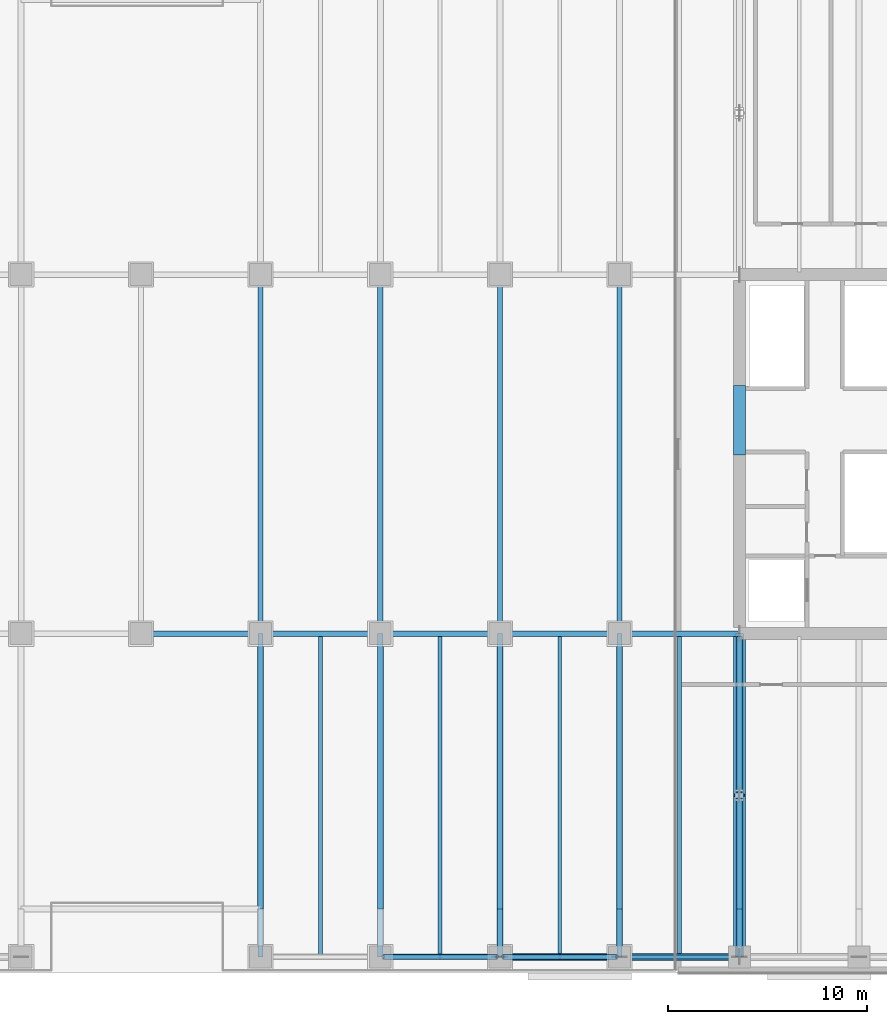
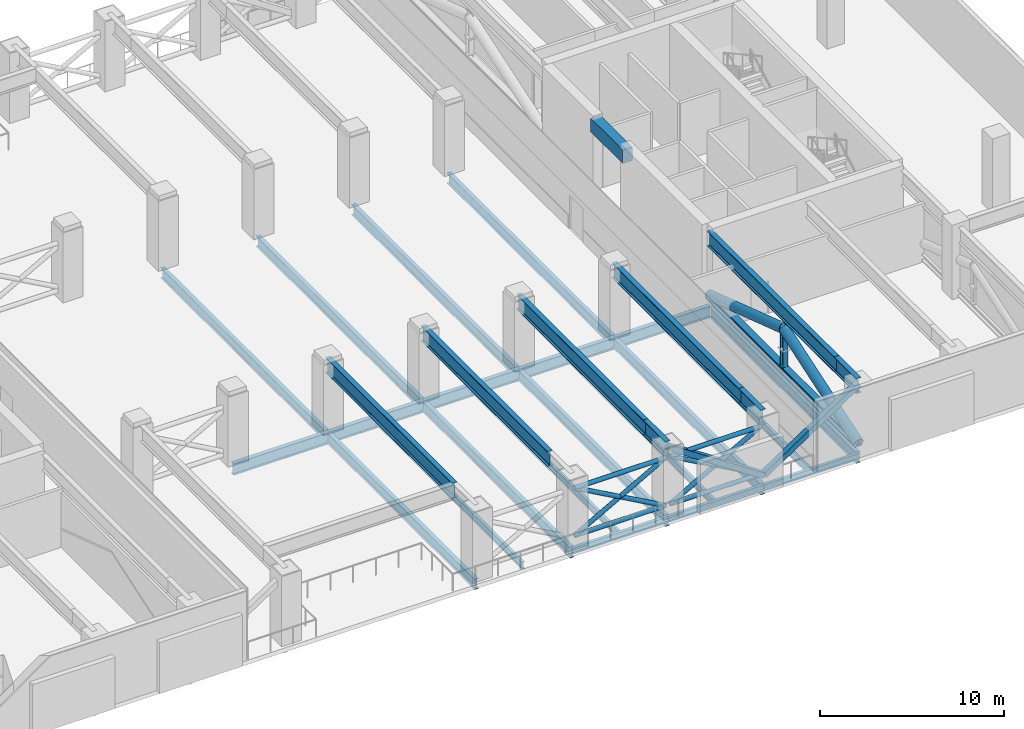
# One storey, part 3 of 22: 30 beams, 14 members.
"""IFC4 building model written with IfcOpenShell, lengths in metres."""

from ifc_helpers import new_model, si_unit, direction, frame, origin, origin_2d, place, context, subcontext, project, spatial, rectangle, hollow_rectangle, hollow_circle, i_section, extrude, material, material_profile, profile_set, type_object, element, save


model = new_model("IFC4")

# Units and contexts
model_context = context("Model", 3, precision=1e-05, world=origin(), true_north=direction((0.0, 1.0)))
body_context = subcontext(model_context, "Body", "Model", "MODEL_VIEW")
ifc_project = project(units=[si_unit("LENGTHUNIT", "METRE"), si_unit("AREAUNIT", "SQUARE_METRE"), si_unit("VOLUMEUNIT", "CUBIC_METRE"), si_unit("PLANEANGLEUNIT", "RADIAN"), si_unit("MASSUNIT", "GRAM", prefix="KILO")], contexts=[model_context])

# Site, building, storey
site_placement = place(None, origin())
site = spatial("IfcSite", under=ifc_project, at=site_placement, CompositionType="ELEMENT")
building_placement = place(site_placement, origin())
building = spatial("IfcBuilding", under=site, at=building_placement, Name="Tanjung Sevakor Pilgrim Tower", CompositionType="ELEMENT")
storey_placement = place(building_placement, frame((0.0, 0.0, 73.260009765625)))
storey = spatial("IfcBuildingStorey", under=building, at=storey_placement, Name="L20", CompositionType="ELEMENT", Elevation=73.260009765625)

# Beams
ifc_material_1 = material(Name="Steel S355J2", Category="steel")
ifc_material_profile_1 = material_profile(ifc_material_1, i_section(OverallWidth=0.26806640625, OverallDepth=0.769775390625, WebThickness=0.015625, FlangeThickness=0.025390625, FilletRadius=0.0166015625, at=origin_2d()))
ifc_profile_set_1 = profile_set([ifc_material_profile_1], Name="Steel S355J2")
beam_type_1 = type_object("IfcBeamType", Name="BM-B-G1-UB_762x267x197", PredefinedType="BEAM", material=ifc_profile_set_1)
for number, where, z_axis, x_axis, name in (
    (1, (48.0, 24.60009765625, -0.664794921875), (1.0, 0.0, 0.0), (0.0, 1.0, 0.0), "L20 Primary Floor Girder MAIN Y246-04"),
    (2, (54.0, 24.60009765625, -0.664794921875), (1.0, 0.0, 0.0), (0.0, 1.0, 0.0), "L20 Primary Floor Girder MAIN Y246-05"),
    (3, (60.0, 24.60009765625, -0.664794921875), (1.0, 0.0, 0.0), (0.0, 1.0, 0.0), "L20 Primary Floor Girder MAIN Y246-06"),
    (4, (66.0, 24.60009765625, -0.664794921875), (1.0, 0.0, 0.0), (0.0, 1.0, 0.0), "L20 Primary Floor Girder MAIN Y246-07"),
    (5, (72.0, 24.60009765625, -0.664794921875), (1.0, 0.0, 0.0), (0.0, 1.0, 0.0), "L20 Primary Floor Girder MAIN Y246-08"),
):
    element("IfcBeam", number, at=place(storey_placement, frame(where, z_axis=z_axis, x_axis=x_axis)), inside=storey, type_object=beam_type_1, Name=name, PredefinedType="BEAM", context=body_context, shape_type="SweptSolid", body=[
        extrude(i_section(OverallWidth=0.26806640625, OverallDepth=0.769775390625, WebThickness=0.015625, FlangeThickness=0.025390625, FilletRadius=0.0166015625, at=origin_2d()), origin(), (0.0, 0.0, 1.0), 6.0),
    ])
ifc_material_2 = material(Name="Steel S355J2", Category="steel")
ifc_material_profile_2 = material_profile(ifc_material_2, i_section(OverallWidth=0.25439453125, OverallDepth=0.6875, WebThickness=0.01318359375, FlangeThickness=0.02099609375, FilletRadius=0.01513671875, at=origin_2d()))
ifc_profile_set_2 = profile_set([ifc_material_profile_2], Name="Steel S355J2")
beam_type_2 = type_object("IfcBeamType", Name="BM-B-G2-UB_686x254x152", PredefinedType="BEAM", material=ifc_profile_set_2)
beam_1_placement = place(storey_placement, frame((54.0, 8.39990234375, -0.623779296875), z_axis=(0.0, 1.0, 0.0), x_axis=(-1.0, 0.0, 0.0)))
element("IfcBeam", 6, at=beam_1_placement, inside=storey, type_object=beam_type_2, Name="L20 MAIN Girder 017", PredefinedType="BEAM", context=body_context, shape_type="SweptSolid", body=[
    extrude(i_section(OverallWidth=0.25439453125, OverallDepth=0.6875, WebThickness=0.01318359375, FlangeThickness=0.02099609375, FilletRadius=0.01513671875, at=origin_2d()), origin(), (0.0, 0.0, 1.0), 16.2001953125),
])
beam_2_placement = place(storey_placement, frame((54.0, 24.60009765625, -0.623779296875), z_axis=(0.0, 1.0, 0.0), x_axis=(-1.0, 0.0, 0.0)))
element("IfcBeam", 7, at=beam_2_placement, inside=storey, type_object=beam_type_2, Name="L20 MAIN Girder 018", PredefinedType="BEAM", context=body_context, shape_type="SweptSolid", body=[
    extrude(i_section(OverallWidth=0.25439453125, OverallDepth=0.6875, WebThickness=0.01318359375, FlangeThickness=0.02099609375, FilletRadius=0.01513671875, at=origin_2d()), origin(), (0.0, 0.0, 1.0), 18.0),
])
beam_3_placement = place(storey_placement, frame((60.0, 8.39990234375, -0.623779296875), z_axis=(0.0, 1.0, 0.0), x_axis=(-1.0, 0.0, 0.0)))
element("IfcBeam", 8, at=beam_3_placement, inside=storey, type_object=beam_type_2, Name="L20 MAIN Girder 022", PredefinedType="BEAM", context=body_context, shape_type="SweptSolid", body=[
    extrude(i_section(OverallWidth=0.25439453125, OverallDepth=0.6875, WebThickness=0.01318359375, FlangeThickness=0.02099609375, FilletRadius=0.01513671875, at=origin_2d()), origin(), (0.0, 0.0, 1.0), 16.2001953125),
])
beam_4_placement = place(storey_placement, frame((60.0, 24.60009765625, -0.623779296875), z_axis=(0.0, 1.0, 0.0), x_axis=(-1.0, 0.0, 0.0)))
element("IfcBeam", 9, at=beam_4_placement, inside=storey, type_object=beam_type_2, Name="L20 MAIN Girder 023", PredefinedType="BEAM", context=body_context, shape_type="SweptSolid", body=[
    extrude(i_section(OverallWidth=0.25439453125, OverallDepth=0.6875, WebThickness=0.01318359375, FlangeThickness=0.02099609375, FilletRadius=0.01513671875, at=origin_2d()), origin(), (0.0, 0.0, 1.0), 18.0),
])
beam_5_placement = place(storey_placement, frame((66.0, 8.39990234375, -0.623779296875), z_axis=(0.0, 1.0, 0.0), x_axis=(-1.0, 0.0, 0.0)))
element("IfcBeam", 10, at=beam_5_placement, inside=storey, type_object=beam_type_2, Name="L20 MAIN Girder 027", PredefinedType="BEAM", context=body_context, shape_type="SweptSolid", body=[
    extrude(i_section(OverallWidth=0.25439453125, OverallDepth=0.6875, WebThickness=0.01318359375, FlangeThickness=0.02099609375, FilletRadius=0.01513671875, at=origin_2d()), origin(), (0.0, 0.0, 1.0), 16.2001953125),
])
beam_6_placement = place(storey_placement, frame((66.0, 24.60009765625, -0.623779296875), z_axis=(0.0, 1.0, 0.0), x_axis=(-1.0, 0.0, 0.0)))
element("IfcBeam", 11, at=beam_6_placement, inside=storey, type_object=beam_type_2, Name="L20 MAIN Girder 028", PredefinedType="BEAM", context=body_context, shape_type="SweptSolid", body=[
    extrude(i_section(OverallWidth=0.25439453125, OverallDepth=0.6875, WebThickness=0.01318359375, FlangeThickness=0.02099609375, FilletRadius=0.01513671875, at=origin_2d()), origin(), (0.0, 0.0, 1.0), 18.0),
])
beam_7_placement = place(storey_placement, frame((72.0, 8.39990234375, -0.623779296875), z_axis=(0.0, 1.0, 0.0), x_axis=(-1.0, 0.0, 0.0)))
element("IfcBeam", 12, at=beam_7_placement, inside=storey, type_object=beam_type_2, Name="L20 MAIN Girder 032", PredefinedType="BEAM", context=body_context, shape_type="SweptSolid", body=[
    extrude(i_section(OverallWidth=0.25439453125, OverallDepth=0.6875, WebThickness=0.01318359375, FlangeThickness=0.02099609375, FilletRadius=0.01513671875, at=origin_2d()), origin(), (0.0, 0.0, 1.0), 16.2001953125),
])
beam_8_placement = place(storey_placement, frame((72.0, 24.60009765625, -0.623779296875), z_axis=(0.0, 1.0, 0.0), x_axis=(-1.0, 0.0, 0.0)))
element("IfcBeam", 13, at=beam_8_placement, inside=storey, type_object=beam_type_2, Name="L20 MAIN Girder 033", PredefinedType="BEAM", context=body_context, shape_type="SweptSolid", body=[
    extrude(i_section(OverallWidth=0.25439453125, OverallDepth=0.6875, WebThickness=0.01318359375, FlangeThickness=0.02099609375, FilletRadius=0.01513671875, at=origin_2d()), origin(), (0.0, 0.0, 1.0), 18.0),
])
beam_9_placement = place(storey_placement, frame((78.0, 8.39990234375, -0.623779296875), z_axis=(0.0, 1.0, 0.0), x_axis=(-1.0, 0.0, 0.0)))
element("IfcBeam", 14, at=beam_9_placement, inside=storey, type_object=beam_type_2, Name="L20 MAIN Girder 037", PredefinedType="BEAM", context=body_context, shape_type="SweptSolid", body=[
    extrude(i_section(OverallWidth=0.25439453125, OverallDepth=0.6875, WebThickness=0.01318359375, FlangeThickness=0.02099609375, FilletRadius=0.01513671875, at=origin_2d()), origin(), (0.0, 0.0, 1.0), 16.066162109375),
])
ifc_material_3 = material(Name="Steel S460M", Category="steel")
ifc_material_profile_3 = material_profile(ifc_material_3, i_section(OverallWidth=0.302001953125, OverallDepth=1.008056640625, WebThickness=0.02099609375, FlangeThickness=0.0400390625, FilletRadius=0.030029296875, at=origin_2d()))
ifc_profile_set_3 = profile_set([ifc_material_profile_3], Name="Steel S460M")
beam_type_3 = type_object("IfcBeamType", Name="BM-B-G7-HE_1000M", PredefinedType="BEAM", material=ifc_profile_set_3)
for number, where, z_axis, x_axis, name in (
    (15, (54.0, 10.800048828125, 4.166015625), (0.0, 1.0, 0.0), (-1.0, 0.0, 0.0), "L20 Setback Transfer Girder South X54-2"),
    (16, (60.0, 10.800048828125, 4.166015625), (0.0, 1.0, 0.0), (-1.0, 0.0, 0.0), "L20 Setback Transfer Girder South X60-2"),
):
    element("IfcBeam", number, at=place(storey_placement, frame(where, z_axis=z_axis, x_axis=x_axis)), inside=storey, type_object=beam_type_3, Name=name, PredefinedType="BEAM", context=body_context, shape_type="SweptSolid", body=[
        extrude(i_section(OverallWidth=0.302001953125, OverallDepth=1.008056640625, WebThickness=0.02099609375, FlangeThickness=0.0400390625, FilletRadius=0.030029296875, at=origin_2d()), origin(), (0.0, 0.0, 1.0), 13.800048828125),
    ])
beam_10_placement = place(storey_placement, frame((66.0, 8.39990234375, 4.166015625), z_axis=(0.0, 1.0, 0.0), x_axis=(-1.0, 0.0, 0.0)))
element("IfcBeam", 17, at=beam_10_placement, inside=storey, type_object=beam_type_3, Name="L20 Setback Transfer Girder South X66-1", PredefinedType="BEAM", context=body_context, shape_type="SweptSolid", body=[
    extrude(i_section(OverallWidth=0.302001953125, OverallDepth=1.008056640625, WebThickness=0.02099609375, FlangeThickness=0.0400390625, FilletRadius=0.030029296875, at=origin_2d()), origin(), (0.0, 0.0, 1.0), 2.400146484375),
])
beam_11_placement = place(storey_placement, frame((66.0, 10.800048828125, 4.166015625), z_axis=(0.0, 1.0, 0.0), x_axis=(-1.0, 0.0, 0.0)))
element("IfcBeam", 18, at=beam_11_placement, inside=storey, type_object=beam_type_3, Name="L20 Setback Transfer Girder South X66-2", PredefinedType="BEAM", context=body_context, shape_type="SweptSolid", body=[
    extrude(i_section(OverallWidth=0.302001953125, OverallDepth=1.008056640625, WebThickness=0.02099609375, FlangeThickness=0.0400390625, FilletRadius=0.030029296875, at=origin_2d()), origin(), (0.0, 0.0, 1.0), 13.800048828125),
])
beam_12_placement = place(storey_placement, frame((72.0, 8.39990234375, 4.166015625), z_axis=(0.0, 1.0, 0.0), x_axis=(-1.0, 0.0, 0.0)))
element("IfcBeam", 19, at=beam_12_placement, inside=storey, type_object=beam_type_3, Name="L20 Setback Transfer Girder South X72-1", PredefinedType="BEAM", context=body_context, shape_type="SweptSolid", body=[
    extrude(i_section(OverallWidth=0.302001953125, OverallDepth=1.008056640625, WebThickness=0.02099609375, FlangeThickness=0.0400390625, FilletRadius=0.030029296875, at=origin_2d()), origin(), (0.0, 0.0, 1.0), 2.400146484375),
])
beam_13_placement = place(storey_placement, frame((72.0, 10.800048828125, 4.166015625), z_axis=(0.0, 1.0, 0.0), x_axis=(-1.0, 0.0, 0.0)))
element("IfcBeam", 20, at=beam_13_placement, inside=storey, type_object=beam_type_3, Name="L20 Setback Transfer Girder South X72-2", PredefinedType="BEAM", context=body_context, shape_type="SweptSolid", body=[
    extrude(i_section(OverallWidth=0.302001953125, OverallDepth=1.008056640625, WebThickness=0.02099609375, FlangeThickness=0.0400390625, FilletRadius=0.030029296875, at=origin_2d()), origin(), (0.0, 0.0, 1.0), 13.800048828125),
])
beam_14_placement = place(storey_placement, frame((78.0, 8.39990234375, 4.166015625), z_axis=(0.0, 1.0, 0.0), x_axis=(-1.0, 0.0, 0.0)))
element("IfcBeam", 21, at=beam_14_placement, inside=storey, type_object=beam_type_3, Name="L20 Setback Transfer Girder South X78-1", PredefinedType="BEAM", context=body_context, shape_type="SweptSolid", body=[
    extrude(i_section(OverallWidth=0.302001953125, OverallDepth=1.008056640625, WebThickness=0.02099609375, FlangeThickness=0.0400390625, FilletRadius=0.030029296875, at=origin_2d()), origin(), (0.0, 0.0, 1.0), 2.400146484375),
])
beam_15_placement = place(storey_placement, frame((78.0, 10.800048828125, 4.166015625), z_axis=(0.0, 1.0, 0.0), x_axis=(-1.0, 0.0, 0.0)))
element("IfcBeam", 22, at=beam_15_placement, inside=storey, type_object=beam_type_3, Name="L20 Setback Transfer Girder South X78-2", PredefinedType="BEAM", context=body_context, shape_type="SweptSolid", body=[
    extrude(i_section(OverallWidth=0.302001953125, OverallDepth=1.008056640625, WebThickness=0.02099609375, FlangeThickness=0.0400390625, FilletRadius=0.030029296875, at=origin_2d()), origin(), (0.0, 0.0, 1.0), 13.800048828125),
])
ifc_material_4 = material(Name="Steel S355J2", Category="steel")
ifc_material_profile_4 = material_profile(ifc_material_4, i_section(OverallWidth=0.19140625, OverallDepth=0.4599609375, WebThickness=0.010009765625, FlangeThickness=0.01611328125, FilletRadius=0.01025390625, at=origin_2d()))
ifc_profile_set_4 = profile_set([ifc_material_profile_4], Name="Steel S355J2")
beam_type_4 = type_object("IfcBeamType", Name="BM-B-J2-UB_457x191x82", PredefinedType="JOIST", material=ifc_profile_set_4)
for number, where, z_axis, x_axis, name in (
    (23, (57.0, 8.5, -0.510009765625), (0.0, 1.0, 0.0), (-1.0, 0.0, 0.0), "L20 MAIN Joist 020"),
    (24, (63.0, 8.5, -0.510009765625), (0.0, 1.0, 0.0), (-1.0, 0.0, 0.0), "L20 MAIN Joist 025"),
    (25, (69.0, 8.5, -0.510009765625), (0.0, 1.0, 0.0), (-1.0, 0.0, 0.0), "L20 MAIN Joist 030"),
    (26, (75.0, 8.5, -0.510009765625), (0.0, 1.0, 0.0), (-1.0, 0.0, 0.0), "L20 MAIN Joist 035"),
):
    element("IfcBeam", number, at=place(storey_placement, frame(where, z_axis=z_axis, x_axis=x_axis)), inside=storey, type_object=beam_type_4, Name=name, PredefinedType="JOIST", context=body_context, shape_type="SweptSolid", body=[
        extrude(i_section(OverallWidth=0.19140625, OverallDepth=0.4599609375, WebThickness=0.010009765625, FlangeThickness=0.01611328125, FilletRadius=0.01025390625, at=origin_2d()), origin(), (0.0, 0.0, 1.0), 15.966064453125),
    ])
ifc_material_5 = material(Name="Concrete C60/75", Category="concrete")
ifc_material_profile_5 = material_profile(ifc_material_5, rectangle(XDim=0.60009765625, YDim=0.89990234375, at=origin_2d()))
ifc_profile_set_5 = profile_set([ifc_material_profile_5], Name="Concrete C60/75")
beam_type_5 = type_object("IfcBeamType", Name="BM-B-LN1-RC-BM_600x900", PredefinedType="LINTEL", material=ifc_profile_set_5)
beam_16_placement = place(storey_placement, frame((78.0, 33.550048828125, 4.219970703125), z_axis=(0.0, 1.0, 0.0), x_axis=(-1.0, 0.0, 0.0)))
element("IfcBeam", 27, at=beam_16_placement, inside=storey, type_object=beam_type_5, Name="L20 E Core Coupling Lintel", PredefinedType="LINTEL", context=body_context, shape_type="SweptSolid", body=[
    extrude(rectangle(XDim=0.60009765625, YDim=0.89990234375, at=origin_2d()), origin(), (0.0, 0.0, 1.0), 3.5),
])
ifc_material_6 = material(Name="Steel S355J2", Category="steel")
ifc_material_profile_6 = material_profile(ifc_material_6, hollow_rectangle(XDim=0.199951171875, YDim=0.39990234375, WallThickness=0.01611328125, at=origin_2d()))
ifc_profile_set_6 = profile_set([ifc_material_profile_6], Name="Steel S355J2")
beam_type_6 = type_object("IfcBeamType", Name="BM-B-SP2-RHS_400x200x16", PredefinedType="SPANDREL", material=ifc_profile_set_6)
for number, where, z_axis, x_axis, name in (
    (28, (60.0, 8.39990234375, -0.47998046875), (1.0, 0.0, 0.0), (0.0, 1.0, 0.0), "L20 Spandrel MAIN S-09"),
    (29, (66.0, 8.39990234375, -0.47998046875), (1.0, 0.0, 0.0), (0.0, 1.0, 0.0), "L20 Spandrel MAIN S-11"),
    (30, (72.0, 8.39990234375, -0.47998046875), (1.0, 0.0, 0.0), (0.0, 1.0, 0.0), "L20 Spandrel MAIN S-13"),
):
    element("IfcBeam", number, at=place(storey_placement, frame(where, z_axis=z_axis, x_axis=x_axis)), inside=storey, type_object=beam_type_6, Name=name, PredefinedType="SPANDREL", context=body_context, shape_type="SweptSolid", body=[
        extrude(hollow_rectangle(XDim=0.199951171875, YDim=0.39990234375, WallThickness=0.01611328125, at=origin_2d()), origin(), (0.0, 0.0, 1.0), 6.0),
    ])

# Members
ifc_material_7 = material(Name="Steel S460M", Category="steel")
ifc_material_profile_7 = material_profile(ifc_material_7, hollow_circle(Radius=0.304931640625, WallThickness=0.030029296875, at=origin_2d()))
ifc_profile_set_7 = profile_set([ifc_material_profile_7], Name="Steel S460M")
member_type_1 = type_object("IfcMemberType", Name="MEM-M-BR2-CHS_610x30", PredefinedType="BRACE", material=ifc_profile_set_7)
for number, where, z_axis, x_axis, name in (
    (31, (78.0, 8.39990234375, 0.35009765625), (0.0, 0.949037396078, 0.315163482729), (-1.0, 0.0, 0.0), "OT-2 L20 Outrigger Truss Diagonal 1 X78 S"),
    (32, (78.0, 16.5, 3.0400390625), (0.0, 0.949037396078, -0.315163482729), (-1.0, 0.0, 0.0), "OT-2 L20 Outrigger Truss Diagonal 2 X78 S"),
):
    element("IfcMember", number, at=place(storey_placement, frame(where, z_axis=z_axis, x_axis=x_axis)), inside=storey, type_object=member_type_1, Name=name, PredefinedType="BRACE", context=body_context, shape_type="SweptSolid", body=[
        extrude(hollow_circle(Radius=0.304931640625, WallThickness=0.030029296875, at=origin_2d()), origin(), (0.0, 0.0, 1.0), 8.53515625),
    ])
ifc_material_8 = material(Name="Steel S460M", Category="steel")
ifc_material_profile_8 = material_profile(ifc_material_8, hollow_rectangle(XDim=0.35009765625, YDim=0.35009765625, WallThickness=0.01611328125, at=origin_2d()))
ifc_profile_set_8 = profile_set([ifc_material_profile_8], Name="Steel S460M")
member_type_2 = type_object("IfcMemberType", Name="MEM-M-BR7-SHS_350x350x16", PredefinedType="BRACE", material=ifc_profile_set_8)
for number, where, z_axis, x_axis, name in (
    (33, (66.0, 8.39990234375, 4.3359375), (0.832956473164, 0.0, -0.553338516474), (0.0, 1.0, 0.0), "BT-1 L20 Belt Truss Diagonal Brace S-04"),
    (34, (72.0, 8.39990234375, 0.35009765625), (0.832956473164, 0.0, 0.553338516474), (0.0, 1.0, 0.0), "BT-1 L20 Belt Truss Diagonal Brace S-05"),
):
    element("IfcMember", number, at=place(storey_placement, frame(where, z_axis=z_axis, x_axis=x_axis)), inside=storey, type_object=member_type_2, Name=name, PredefinedType="BRACE", context=body_context, shape_type="SweptSolid", body=[
        extrude(hollow_rectangle(XDim=0.35009765625, YDim=0.35009765625, WallThickness=0.01611328125, at=origin_2d()), origin(), (0.0, 0.0, 1.0), 7.203369140625),
    ])
ifc_material_9 = material(Name="Steel S460M", Category="steel")
ifc_material_profile_9 = material_profile(ifc_material_9, i_section(OverallWidth=0.41845703125, OverallDepth=0.45556640625, WebThickness=0.0419921875, FlangeThickness=0.0673828125, FilletRadius=0.01513671875, at=origin_2d()))
ifc_profile_set_9 = profile_set([ifc_material_profile_9], Name="Steel S460M")
member_type_3 = type_object("IfcMemberType", Name="MEM-M-CH2-UC_356x406x551", PredefinedType="CHORD", material=ifc_profile_set_9)
member_1_placement = place(storey_placement, frame((78.0, 8.39990234375, 0.35009765625), z_axis=(0.0, 1.0, 0.0), x_axis=(-1.0, 0.0, 0.0)))
element("IfcMember", 35, at=member_1_placement, inside=storey, type_object=member_type_3, Name="OT-1 L20 Outrigger Truss Chord X78 S", PredefinedType="CHORD", context=body_context, shape_type="SweptSolid", body=[
    extrude(i_section(OverallWidth=0.41845703125, OverallDepth=0.45556640625, WebThickness=0.0419921875, FlangeThickness=0.0673828125, FilletRadius=0.01513671875, at=origin_2d()), origin(), (0.0, 0.0, 1.0), 16.2001953125),
])
ifc_material_10 = material(Name="Steel S460M", Category="steel")
ifc_material_profile_10 = material_profile(ifc_material_10, i_section(OverallWidth=0.314453125, OverallDepth=0.33984375, WebThickness=0.01904296875, FlangeThickness=0.031494140625, FilletRadius=0.01513671875, at=origin_2d()))
ifc_profile_set_10 = profile_set([ifc_material_profile_10], Name="Steel S460M")
member_type_4 = type_object("IfcMemberType", Name="MEM-M-ST2-UC_305x305x198", PredefinedType="STRUT", material=ifc_profile_set_10)
member_2_placement = place(storey_placement, frame((78.0, 16.5, 0.35009765625), z_axis=(0.0, 0.0, 1.0), x_axis=(1.0, 0.0, 0.0)))
element("IfcMember", 36, at=member_2_placement, inside=storey, type_object=member_type_4, Name="OT-3 L20 Outrigger Truss Strut X78 S", PredefinedType="STRUT", context=body_context, shape_type="SweptSolid", body=[
    extrude(i_section(OverallWidth=0.314453125, OverallDepth=0.33984375, WebThickness=0.01904296875, FlangeThickness=0.031494140625, FilletRadius=0.01513671875, at=origin_2d()), origin(), (0.0, 0.0, 1.0), 2.68994140625),
])
ifc_material_11 = material(Name="Steel S355J2", Category="steel")
ifc_material_profile_11 = material_profile(ifc_material_11, hollow_circle(Radius=0.136474609375, WallThickness=0.012451171875, at=origin_2d()))
ifc_profile_set_11 = profile_set([ifc_material_profile_11], Name="Steel S355J2")
member_type_5 = type_object("IfcMemberType", Name="TYPE-MB-TURBINE", PredefinedType="USERDEFINED", material=ifc_profile_set_11)
for number, where, z_axis, x_axis, name in (
    (37, (60.14990234375, 8.39990234375, 0.449951171875), (1.0, 0.0, 0.0), (0.0, 1.0, 0.0), "L20 Wind Turbine Shroud BOT WTURB-L20-S3"),
    (38, (60.14990234375, 8.39990234375, 3.619873046875), (1.0, 0.0, 0.0), (0.0, 1.0, 0.0), "L20 Wind Turbine Shroud TOP WTURB-L20-S3"),
):
    element("IfcMember", number, at=place(storey_placement, frame(where, z_axis=z_axis, x_axis=x_axis)), inside=storey, type_object=member_type_5, Name=name, ObjectType="TURBINE_FRAME", PredefinedType="USERDEFINED", context=body_context, shape_type="SweptSolid", body=[
        extrude(hollow_circle(Radius=0.136474609375, WallThickness=0.012451171875, at=origin_2d()), origin(), (0.0, 0.0, 1.0), 5.7001953125),
    ])
for number, where, z_axis, x_axis, name in (
    (39, (60.14990234375, 8.39990234375, 0.449951171875), (0.87395238411, 0.0, 0.486011553678), (0.0, 1.0, 0.0), "L20 Wind Turbine Shroud BL1 WTURB-L20-S3"),
    (40, (60.14990234375, 8.39990234375, 3.619873046875), (0.87395238411, 0.0, -0.486011553678), (0.0, 1.0, 0.0), "L20 Wind Turbine Shroud BL2 WTURB-L20-S3"),
):
    element("IfcMember", number, at=place(storey_placement, frame(where, z_axis=z_axis, x_axis=x_axis)), inside=storey, type_object=member_type_5, Name=name, ObjectType="TURBINE_FRAME", PredefinedType="USERDEFINED", context=body_context, shape_type="SweptSolid", body=[
        extrude(hollow_circle(Radius=0.136474609375, WallThickness=0.012451171875, at=origin_2d()), origin(), (0.0, 0.0, 1.0), 6.522216796875),
    ])
for number, where, z_axis, x_axis, name in (
    (41, (66.14990234375, 8.39990234375, 0.449951171875), (1.0, 0.0, 0.0), (0.0, 1.0, 0.0), "L20 Wind Turbine Shroud BOT WTURB-L20-S4"),
    (42, (66.14990234375, 8.39990234375, 3.619873046875), (1.0, 0.0, 0.0), (0.0, 1.0, 0.0), "L20 Wind Turbine Shroud TOP WTURB-L20-S4"),
):
    element("IfcMember", number, at=place(storey_placement, frame(where, z_axis=z_axis, x_axis=x_axis)), inside=storey, type_object=member_type_5, Name=name, ObjectType="TURBINE_FRAME", PredefinedType="USERDEFINED", context=body_context, shape_type="SweptSolid", body=[
        extrude(hollow_circle(Radius=0.136474609375, WallThickness=0.012451171875, at=origin_2d()), origin(), (0.0, 0.0, 1.0), 5.7001953125),
    ])
for number, where, z_axis, x_axis, name in (
    (43, (66.14990234375, 8.39990234375, 0.449951171875), (0.87395238411, 0.0, 0.486011553678), (0.0, 1.0, 0.0), "L20 Wind Turbine Shroud BL1 WTURB-L20-S4"),
    (44, (66.14990234375, 8.39990234375, 3.619873046875), (0.87395238411, 0.0, -0.486011553678), (0.0, 1.0, 0.0), "L20 Wind Turbine Shroud BL2 WTURB-L20-S4"),
):
    element("IfcMember", number, at=place(storey_placement, frame(where, z_axis=z_axis, x_axis=x_axis)), inside=storey, type_object=member_type_5, Name=name, ObjectType="TURBINE_FRAME", PredefinedType="USERDEFINED", context=body_context, shape_type="SweptSolid", body=[
        extrude(hollow_circle(Radius=0.136474609375, WallThickness=0.012451171875, at=origin_2d()), origin(), (0.0, 0.0, 1.0), 6.522216796875),
    ])

save(model, "model.ifc")
